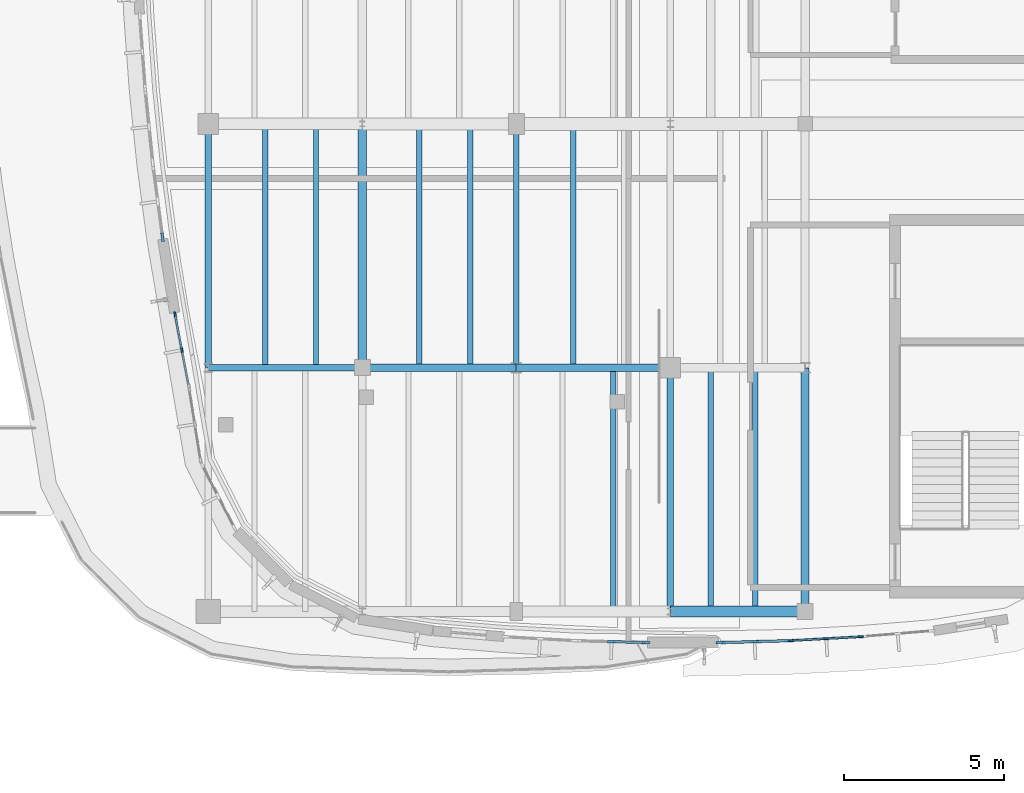
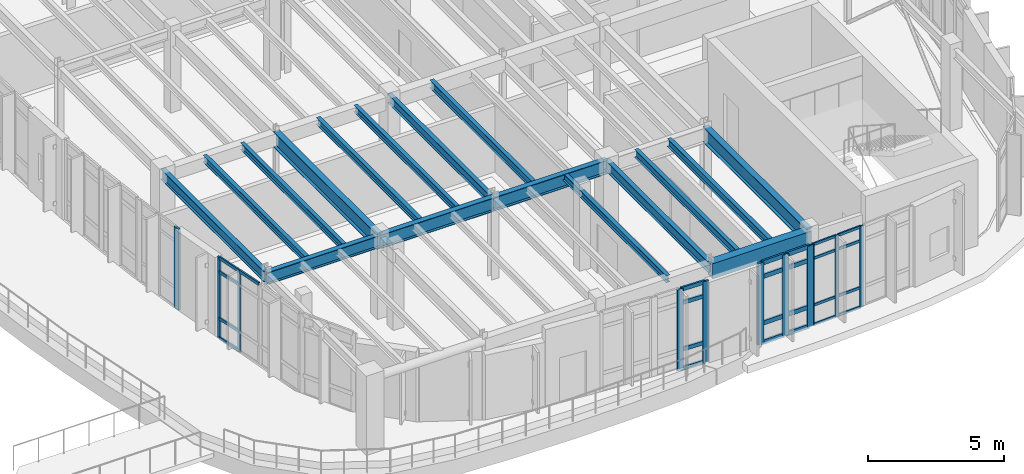
# One storey, part 41 of 105: 36 members, 17 beams, 5 elements without a shape of their own.
"""IFC4 building model written with IfcOpenShell, lengths in metres."""

from ifc_helpers import new_model, si_unit, direction, frame, origin, origin_2d, place, context, subcontext, project, spatial, rectangle, i_section, extrude, material, material_profile, profile_set, type_object, element, aggregate, save


model = new_model("IFC4")

# Units and contexts
model_context = context("Model", 3, precision=1e-05, world=origin(), true_north=direction((0.0, 1.0)))
body_context = subcontext(model_context, "Body", "Model", "MODEL_VIEW")
ifc_project = project(units=[si_unit("LENGTHUNIT", "METRE"), si_unit("AREAUNIT", "SQUARE_METRE"), si_unit("VOLUMEUNIT", "CUBIC_METRE"), si_unit("PLANEANGLEUNIT", "RADIAN"), si_unit("MASSUNIT", "GRAM", prefix="KILO")], contexts=[model_context])

# Site, building, storey
site_placement = place(None, origin())
site = spatial("IfcSite", under=ifc_project, at=site_placement, CompositionType="ELEMENT")
building_placement = place(site_placement, origin())
building = spatial("IfcBuilding", under=site, at=building_placement, Name="Corveleigh Park Community Centre", CompositionType="ELEMENT")
storey_placement = place(building_placement, frame((0.0, 0.0, 8.699951171875)))
storey = spatial("IfcBuildingStorey", under=building, at=storey_placement, Name="L02", CompositionType="ELEMENT", Elevation=8.699951171875)

# Beams
ifc_material_1 = material(Name="Steel S355", Category="steel")
ifc_material_profile_1 = material_profile(ifc_material_1, i_section(OverallWidth=0.165771484375, OverallDepth=0.306640625, WebThickness=0.006591796875, FlangeThickness=0.01171875, at=origin_2d()), Name="UKB 305x165x46", Category="steel")
ifc_profile_set_1 = profile_set([ifc_material_profile_1], Name="Steel S355")
beam_type_1 = type_object("IfcBeamType", Name="BM-STL-UKB305x46", PredefinedType="JOIST", material=ifc_profile_set_1)
for number, where, z_axis, x_axis, name in (
    (1, (141.176025390625, 66.205078125, 3.483642578125), (0.0, 1.0, 0.0), (-1.0, 0.0, 0.0), "Secondary floor joist"),
    (2, (142.760009765625, 66.205078125, 3.483642578125), (0.0, 1.0, 0.0), (-1.0, 0.0, 0.0), "Secondary floor joist"),
):
    element("IfcBeam", number, at=place(storey_placement, frame(where, z_axis=z_axis, x_axis=x_axis)), inside=storey, type_object=beam_type_1, Name=name, PredefinedType="JOIST", context=body_context, shape_type="SweptSolid", body=[
        extrude(i_section(OverallWidth=0.165771484375, OverallDepth=0.306640625, WebThickness=0.006591796875, FlangeThickness=0.01171875, at=origin_2d()), origin(), (0.0, 0.0, 1.0), 7.58984375),
    ])
ifc_material_profile_2 = material_profile(ifc_material_1, i_section(OverallWidth=0.1669921875, OverallDepth=0.310302734375, WebThickness=0.0078125, FlangeThickness=0.013671875, at=origin_2d()), Name="UKB 305x165x54", Category="steel")
ifc_profile_set_2 = profile_set([ifc_material_profile_2], Name="Steel S355")
beam_type_2 = type_object("IfcBeamType", Name="BM-STL-UKB305x54", PredefinedType="JOIST", material=ifc_profile_set_2)
for number, where, z_axis, x_axis, name in (
    (3, (145.97607421875, 66.205078125, 3.48681640625), (0.0, 1.0, 0.0), (-1.0, 0.0, 0.0), "Secondary floor joist"),
    (4, (147.56005859375, 66.205078125, 3.48681640625), (0.0, 1.0, 0.0), (-1.0, 0.0, 0.0), "Secondary floor joist"),
):
    element("IfcBeam", number, at=place(storey_placement, frame(where, z_axis=z_axis, x_axis=x_axis)), inside=storey, type_object=beam_type_2, Name=name, PredefinedType="JOIST", context=body_context, shape_type="SweptSolid", body=[
        extrude(i_section(OverallWidth=0.1669921875, OverallDepth=0.310302734375, WebThickness=0.0078125, FlangeThickness=0.013671875, at=origin_2d()), origin(), (0.0, 0.0, 1.0), 7.58984375),
    ])
beam_1_placement = place(storey_placement, frame((152.02392578125, 58.60498046875, 3.48193359375), z_axis=(0.0, 1.0, 0.0), x_axis=(-1.0, 0.0, 0.0)))
element("IfcBeam", 5, at=beam_1_placement, inside=storey, type_object=beam_type_2, Name="Secondary floor joist", PredefinedType="JOIST", context=body_context, shape_type="SweptSolid", body=[
    extrude(i_section(OverallWidth=0.1669921875, OverallDepth=0.310302734375, WebThickness=0.0078125, FlangeThickness=0.013671875, at=origin_2d()), origin(), (0.0, 0.0, 1.0), 7.590087890625),
])
ifc_material_profile_3 = material_profile(ifc_material_1, i_section(OverallWidth=0.171142578125, OverallDepth=0.351318359375, WebThickness=0.007080078125, FlangeThickness=0.009765625, at=origin_2d()), Name="UKB 356x171x45", Category="steel")
ifc_profile_set_3 = profile_set([ifc_material_profile_3], Name="Steel S355")
beam_type_3 = type_object("IfcBeamType", Name="BM-STL-UKB356x45", PredefinedType="JOIST", material=ifc_profile_set_3)
beam_2_placement = place(storey_placement, frame((150.77587890625, 66.205078125, 3.46630859375), z_axis=(0.0, 1.0, 0.0), x_axis=(-1.0, 0.0, 0.0)))
element("IfcBeam", 6, at=beam_2_placement, inside=storey, type_object=beam_type_3, Name="Secondary floor joist", PredefinedType="JOIST", context=body_context, shape_type="SweptSolid", body=[
    extrude(i_section(OverallWidth=0.171142578125, OverallDepth=0.351318359375, WebThickness=0.007080078125, FlangeThickness=0.009765625, at=origin_2d()), origin(), (0.0, 0.0, 1.0), 7.58984375),
])
for number, where, z_axis, x_axis, name in (
    (7, (155.06005859375, 58.60498046875, 3.46630859375), (0.0, 1.0, 0.0), (-1.0, 0.0, 0.0), "Secondary floor joist"),
    (8, (156.446044921875, 58.60498046875, 3.46630859375), (0.0, 1.0, 0.0), (-1.0, 0.0, 0.0), "Secondary floor joist"),
):
    element("IfcBeam", number, at=place(storey_placement, frame(where, z_axis=z_axis, x_axis=x_axis)), inside=storey, type_object=beam_type_3, Name=name, PredefinedType="JOIST", context=body_context, shape_type="SweptSolid", body=[
        extrude(i_section(OverallWidth=0.171142578125, OverallDepth=0.351318359375, WebThickness=0.007080078125, FlangeThickness=0.009765625, at=origin_2d()), origin(), (0.0, 0.0, 1.0), 7.590087890625),
    ])
ifc_material_profile_4 = material_profile(ifc_material_1, i_section(OverallWidth=0.1787109375, OverallDepth=0.409423828125, WebThickness=0.0087890625, FlangeThickness=0.014404296875, at=origin_2d()), Name="UKB 406x178x67", Category="steel")
ifc_profile_set_4 = profile_set([ifc_material_profile_4], Name="Steel S355")
beam_type_4 = type_object("IfcBeamType", Name="BM-STL-UKB406x67", PredefinedType="BEAM", material=ifc_profile_set_4)
beam_3_placement = place(storey_placement, frame((149.0, 66.205078125, 3.437255859375), z_axis=(0.0, 1.0, 0.0), x_axis=(-1.0, 0.0, 0.0)))
element("IfcBeam", 9, at=beam_3_placement, inside=storey, type_object=beam_type_4, Name="V4 Girder Y", PredefinedType="BEAM", context=body_context, shape_type="SweptSolid", body=[
    extrude(i_section(OverallWidth=0.1787109375, OverallDepth=0.409423828125, WebThickness=0.0087890625, FlangeThickness=0.014404296875, at=origin_2d()), origin(), (0.0, 0.0, 1.0), 7.58984375),
])
ifc_material_profile_5 = material_profile(ifc_material_1, i_section(OverallWidth=0.19189453125, OverallDepth=0.46337890625, WebThickness=0.010498046875, FlangeThickness=0.017578125, at=origin_2d()), Name="UKB 457x191x89", Category="steel")
ifc_profile_set_5 = profile_set([ifc_material_profile_5], Name="Steel S355")
beam_type_5 = type_object("IfcBeamType", Name="BM-STL-UKB457x89", PredefinedType="BEAM", material=ifc_profile_set_5)
beam_4_placement = place(storey_placement, frame((139.39990234375, 66.205078125, 3.4052734375), z_axis=(0.0, 1.0, 0.0), x_axis=(-1.0, 0.0, 0.0)))
element("IfcBeam", 10, at=beam_4_placement, inside=storey, type_object=beam_type_5, Name="V4 Girder Y", PredefinedType="BEAM", context=body_context, shape_type="SweptSolid", body=[
    extrude(i_section(OverallWidth=0.19189453125, OverallDepth=0.46337890625, WebThickness=0.010498046875, FlangeThickness=0.017578125, at=origin_2d()), origin(), (0.0, 0.0, 1.0), 7.58984375),
])
beam_5_placement = place(storey_placement, frame((153.800048828125, 58.60498046875, 3.410400390625), z_axis=(0.0, 1.0, 0.0), x_axis=(-1.0, 0.0, 0.0)))
element("IfcBeam", 11, at=beam_5_placement, inside=storey, type_object=beam_type_5, Name="V4 Girder Y", PredefinedType="BEAM", context=body_context, shape_type="SweptSolid", body=[
    extrude(i_section(OverallWidth=0.19189453125, OverallDepth=0.46337890625, WebThickness=0.010498046875, FlangeThickness=0.017578125, at=origin_2d()), origin(), (0.0, 0.0, 1.0), 7.590087890625),
])
ifc_material_profile_6 = material_profile(ifc_material_1, i_section(OverallWidth=0.210693359375, OverallDepth=0.53955078125, WebThickness=0.01171875, FlangeThickness=0.018798828125, at=origin_2d()), Name="UKB 533x210x109", Category="steel")
ifc_profile_set_6 = profile_set([ifc_material_profile_6], Name="Steel S355")
beam_type_6 = type_object("IfcBeamType", Name="BM-STL-UKB533x109", PredefinedType="BEAM", material=ifc_profile_set_6)
beam_6_placement = place(storey_placement, frame((139.405029296875, 66.199951171875, 3.3671875), z_axis=(1.0, 0.0, 0.0), x_axis=(0.0, 1.0, 0.0)))
element("IfcBeam", 12, at=beam_6_placement, inside=storey, type_object=beam_type_6, Name="V4 Girder X", PredefinedType="BEAM", context=body_context, shape_type="SweptSolid", body=[
    extrude(i_section(OverallWidth=0.210693359375, OverallDepth=0.53955078125, WebThickness=0.01171875, FlangeThickness=0.018798828125, at=origin_2d()), origin(), (0.0, 0.0, 1.0), 4.7900390625),
])
ifc_material_profile_7 = material_profile(ifc_material_1, i_section(OverallWidth=0.228271484375, OverallDepth=0.607666015625, WebThickness=0.010986328125, FlangeThickness=0.017333984375, at=origin_2d()), Name="UKB 610x229x113", Category="steel")
ifc_profile_set_7 = profile_set([ifc_material_profile_7], Name="Steel S355")
beam_type_7 = type_object("IfcBeamType", Name="BM-STL-UKB610x113", PredefinedType="BEAM", material=ifc_profile_set_7)
beam_7_placement = place(storey_placement, frame((144.205078125, 66.199951171875, 3.338134765625), z_axis=(1.0, 0.0, 0.0), x_axis=(0.0, 1.0, 0.0)))
element("IfcBeam", 13, at=beam_7_placement, inside=storey, type_object=beam_type_7, Name="V4 Girder X", PredefinedType="BEAM", context=body_context, shape_type="SweptSolid", body=[
    extrude(i_section(OverallWidth=0.228271484375, OverallDepth=0.607666015625, WebThickness=0.010986328125, FlangeThickness=0.017333984375, at=origin_2d()), origin(), (0.0, 0.0, 1.0), 4.7900390625),
])
ifc_material_profile_8 = material_profile(ifc_material_1, i_section(OverallWidth=0.22900390625, OverallDepth=0.6123046875, WebThickness=0.011962890625, FlangeThickness=0.01953125, at=origin_2d()), Name="UKB 610x229x125", Category="steel")
ifc_profile_set_8 = profile_set([ifc_material_profile_8], Name="Steel S355")
beam_type_8 = type_object("IfcBeamType", Name="BM-STL-UKB610x125", PredefinedType="BEAM", material=ifc_profile_set_8)
beam_8_placement = place(storey_placement, frame((149.0048828125, 66.199951171875, 3.3359375), z_axis=(1.0, 0.0, 0.0), x_axis=(0.0, 1.0, 0.0)))
element("IfcBeam", 14, at=beam_8_placement, inside=storey, type_object=beam_type_8, Name="V4 Girder X", PredefinedType="BEAM", context=body_context, shape_type="SweptSolid", body=[
    extrude(i_section(OverallWidth=0.22900390625, OverallDepth=0.6123046875, WebThickness=0.011962890625, FlangeThickness=0.01953125, at=origin_2d()), origin(), (0.0, 0.0, 1.0), 4.7900390625),
])
ifc_material_profile_9 = material_profile(ifc_material_1, i_section(OverallWidth=0.253662109375, OverallDepth=0.68359375, WebThickness=0.012451171875, FlangeThickness=0.01904296875, at=origin_2d()), Name="UKB 686x254x140", Category="steel")
ifc_profile_set_9 = profile_set([ifc_material_profile_9], Name="Steel S355")
beam_type_9 = type_object("IfcBeamType", Name="BM-STL-UKB686x140", PredefinedType="BEAM", material=ifc_profile_set_9)
beam_9_placement = place(storey_placement, frame((144.199951171875, 66.205078125, 3.30029296875), z_axis=(0.0, 1.0, 0.0), x_axis=(-1.0, 0.0, 0.0)))
element("IfcBeam", 15, at=beam_9_placement, inside=storey, type_object=beam_type_9, Name="V4 Girder Y", PredefinedType="BEAM", context=body_context, shape_type="SweptSolid", body=[
    extrude(i_section(OverallWidth=0.253662109375, OverallDepth=0.68359375, WebThickness=0.012451171875, FlangeThickness=0.01904296875, at=origin_2d()), origin(), (0.0, 0.0, 1.0), 7.58984375),
])
beam_10_placement = place(storey_placement, frame((158.0, 58.60498046875, 3.30029296875), z_axis=(0.0, 1.0, 0.0), x_axis=(-1.0, 0.0, 0.0)))
element("IfcBeam", 16, at=beam_10_placement, inside=storey, type_object=beam_type_9, Name="V4 Girder Y", PredefinedType="BEAM", context=body_context, shape_type="SweptSolid", body=[
    extrude(i_section(OverallWidth=0.253662109375, OverallDepth=0.68359375, WebThickness=0.012451171875, FlangeThickness=0.01904296875, at=origin_2d()), origin(), (0.0, 0.0, 1.0), 7.590087890625),
])

# Curtain wall, members
ifc_material_2 = material(Name="Anodised aluminium 6063-T6", Category="aluminium")
curtain_wall_type = type_object("IfcCurtainWallType", Name="CW-SYS-V4-L01", PredefinedType="NOTDEFINED", material=ifc_material_2)
curtain_wall_1_placement = place(storey_placement, origin())
curtain_wall_1 = element("IfcCurtainWall", 17, at=curtain_wall_1_placement, inside=storey, type_object=curtain_wall_type, Name="V4 L02 Curtain Wall 361", PredefinedType="NOTDEFINED")
ifc_material_profile_10 = material_profile(ifc_material_2, rectangle(XDim=0.06005859375, YDim=0.159912109375, at=origin_2d()), Name="ALU-M60x160", Category="aluminium")
ifc_profile_set_10 = profile_set([ifc_material_profile_10], Name="Anodised aluminium 6063-T6")
member_type_1 = type_object("IfcMemberType", Name="CWM-60x160", PredefinedType="MULLION", material=ifc_profile_set_10)
member_1_placement = place(storey_placement, frame((159.737060546875, 57.814453125, 0.0), z_axis=(0.0, 0.0, 1.0), x_axis=(0.055545052181, -0.998456181902, 0.0)))
member_1 = element("IfcMember", 18, at=member_1_placement, type_object=member_type_1, Name="CW08 mullion 1", PredefinedType="MULLION", context=body_context, shape_type="SweptSolid", body=[
    extrude(rectangle(XDim=0.06005859375, YDim=0.159912109375, at=origin_2d()), origin(), (0.0, 0.0, 1.0), 3.64208984375),
])
member_2_placement = place(storey_placement, frame((158.66162109375, 57.75439453125, 0.0), z_axis=(0.0, 0.0, 1.0), x_axis=(0.055545052181, -0.998456181902, 0.0)))
member_2 = element("IfcMember", 19, at=member_2_placement, type_object=member_type_1, Name="CW08 mullion 2", PredefinedType="MULLION", context=body_context, shape_type="SweptSolid", body=[
    extrude(rectangle(XDim=0.06005859375, YDim=0.159912109375, at=origin_2d()), origin(), (0.0, 0.0, 1.0), 3.64208984375),
])
member_3_placement = place(storey_placement, frame((157.5859375, 57.694580078125, 0.0), z_axis=(0.0, 0.0, 1.0), x_axis=(0.055545052181, -0.998456181902, 0.0)))
member_3 = element("IfcMember", 20, at=member_3_placement, type_object=member_type_1, Name="CW08 mullion 3", PredefinedType="MULLION", context=body_context, shape_type="SweptSolid", body=[
    extrude(rectangle(XDim=0.06005859375, YDim=0.159912109375, at=origin_2d()), origin(), (0.0, 0.0, 1.0), 3.64208984375),
])

curtain_wall_2_placement = place(storey_placement, origin())
curtain_wall_2 = element("IfcCurtainWall", 21, at=curtain_wall_2_placement, inside=storey, type_object=curtain_wall_type, Name="V4 L02 Curtain Wall 397", PredefinedType="NOTDEFINED")
member_4_placement = place(storey_placement, frame((138.577880859375, 66.75146484375, 0.0), z_axis=(0.0, 0.0, 1.0), x_axis=(-0.981960439775, -0.189086474176, 0.0)))
member_4 = element("IfcMember", 22, at=member_4_placement, type_object=member_type_1, Name="CW08 mullion 2", PredefinedType="MULLION", context=body_context, shape_type="SweptSolid", body=[
    extrude(rectangle(XDim=0.06005859375, YDim=0.159912109375, at=origin_2d()), origin(), (0.0, 0.0, 1.0), 3.636962890625),
])
member_5_placement = place(storey_placement, frame((138.36376953125, 67.864501953125, 0.0), z_axis=(0.0, 0.0, 1.0), x_axis=(-0.981960439775, -0.189086474176, 0.0)))
member_5 = element("IfcMember", 23, at=member_5_placement, type_object=member_type_1, Name="CW08 mullion 3", PredefinedType="MULLION", context=body_context, shape_type="SweptSolid", body=[
    extrude(rectangle(XDim=0.06005859375, YDim=0.159912109375, at=origin_2d()), origin(), (0.0, 0.0, 1.0), 3.636962890625),
])

curtain_wall_3_placement = place(storey_placement, origin())
curtain_wall_3 = element("IfcCurtainWall", 24, at=curtain_wall_3_placement, inside=storey, type_object=curtain_wall_type, Name="V4 L02 Curtain Wall 359", PredefinedType="NOTDEFINED")
ifc_material_profile_11 = material_profile(ifc_material_2, rectangle(XDim=0.080078125, YDim=0.25, at=origin_2d()), Name="ALU-M80x250", Category="aluminium")
ifc_profile_set_11 = profile_set([ifc_material_profile_11], Name="Anodised aluminium 6063-T6")
member_type_2 = type_object("IfcMemberType", Name="CWM-80x250", PredefinedType="MULLION", material=ifc_profile_set_11)
member_6_placement = place(storey_placement, frame((153.034912109375, 57.632080078125, 0.0), z_axis=(0.0, 0.0, 1.0), x_axis=(-0.028005278833, -0.999607775259, 0.0)))
member_6 = element("IfcMember", 25, at=member_6_placement, type_object=member_type_2, Name="CW08 mullion 1", PredefinedType="MULLION", context=body_context, shape_type="SweptSolid", body=[
    extrude(rectangle(XDim=0.080078125, YDim=0.25, at=origin_2d()), origin(), (0.0, 0.0, 1.0), 3.636962890625),
])
member_7_placement = place(storey_placement, frame((151.968505859375, 57.662109375, 0.0), z_axis=(0.0, 0.0, 1.0), x_axis=(-0.028005278833, -0.999607775259, 0.0)))
member_7 = element("IfcMember", 26, at=member_7_placement, type_object=member_type_2, Name="CW08 mullion 2", PredefinedType="MULLION", context=body_context, shape_type="SweptSolid", body=[
    extrude(rectangle(XDim=0.080078125, YDim=0.25, at=origin_2d()), origin(), (0.0, 0.0, 1.0), 3.636962890625),
])

curtain_wall_4_placement = place(storey_placement, origin())
curtain_wall_4 = element("IfcCurtainWall", 27, at=curtain_wall_4_placement, inside=storey, type_object=curtain_wall_type, Name="V4 L02 Curtain Wall 360", PredefinedType="NOTDEFINED")
ifc_material_profile_12 = material_profile(ifc_material_2, rectangle(XDim=0.0849609375, YDim=0.27490234375, at=origin_2d()), Name="ALU-M85x275", Category="aluminium")
ifc_profile_set_12 = profile_set([ifc_material_profile_12], Name="Anodised aluminium 6063-T6")
member_type_3 = type_object("IfcMemberType", Name="CWM-85x275", PredefinedType="MULLION", material=ifc_profile_set_12)
member_8_placement = place(storey_placement, frame((157.49560546875, 57.69189453125, 0.0), z_axis=(0.0, 0.0, 1.0), x_axis=(0.028005278833, -0.999607775259, 0.0)))
member_8 = element("IfcMember", 28, at=member_8_placement, type_object=member_type_3, Name="CW08 mullion 1", PredefinedType="MULLION", context=body_context, shape_type="SweptSolid", body=[
    extrude(rectangle(XDim=0.0849609375, YDim=0.27490234375, at=origin_2d()), origin(), (0.0, 0.0, 1.0), 3.636962890625),
])
member_9_placement = place(storey_placement, frame((156.431396484375, 57.662109375, 0.0), z_axis=(0.0, 0.0, 1.0), x_axis=(0.028005278833, -0.999607775259, 0.0)))
member_9 = element("IfcMember", 29, at=member_9_placement, type_object=member_type_3, Name="CW08 mullion 2", PredefinedType="MULLION", context=body_context, shape_type="SweptSolid", body=[
    extrude(rectangle(XDim=0.0849609375, YDim=0.27490234375, at=origin_2d()), origin(), (0.0, 0.0, 1.0), 3.636962890625),
])
member_10_placement = place(storey_placement, frame((155.367431640625, 57.632080078125, 0.0), z_axis=(0.0, 0.0, 1.0), x_axis=(0.028005278833, -0.999607775259, 0.0)))
member_10 = element("IfcMember", 30, at=member_10_placement, type_object=member_type_3, Name="CW08 mullion 3", PredefinedType="MULLION", context=body_context, shape_type="SweptSolid", body=[
    extrude(rectangle(XDim=0.0849609375, YDim=0.27490234375, at=origin_2d()), origin(), (0.0, 0.0, 1.0), 3.636962890625),
])

# Curtain wall, member
curtain_wall_5_placement = place(storey_placement, origin())
curtain_wall_5 = element("IfcCurtainWall", 31, at=curtain_wall_5_placement, inside=storey, type_object=curtain_wall_type, Name="V4 L02 Curtain Wall 396", PredefinedType="NOTDEFINED")
member_11_placement = place(storey_placement, frame((137.973388671875, 70.26806640625, 0.0), z_axis=(0.0, 0.0, 1.0), x_axis=(-0.991317738614, -0.131488178592, 0.0)))
member_11 = element("IfcMember", 32, at=member_11_placement, type_object=member_type_3, Name="CW08 mullion 1", PredefinedType="MULLION", context=body_context, shape_type="SweptSolid", body=[
    extrude(rectangle(XDim=0.0849609375, YDim=0.27490234375, at=origin_2d()), origin(), (0.0, 0.0, 1.0), 3.636962890625),
])
aggregate(curtain_wall_5, [member_11])

# Member
ifc_material_profile_13 = material_profile(ifc_material_2, rectangle(XDim=0.06005859375, YDim=0.1201171875, at=origin_2d()), Name="ALU-T60x120", Category="aluminium")
ifc_profile_set_13 = profile_set([ifc_material_profile_13], Name="Anodised aluminium 6063-T6")
member_type_4 = type_object("IfcMemberType", Name="CWT-60x120", PredefinedType="USERDEFINED", material=ifc_profile_set_13)
member_12_placement = place(storey_placement, frame((159.70703125, 57.812744140625, 0.030029296875), z_axis=(-0.998448514594, -0.055682705622, 0.0), x_axis=(0.055682705622, -0.998448514594, 0.0)))
member_12 = element("IfcMember", 33, at=member_12_placement, type_object=member_type_4, Name="CW08 transom 1.1", ObjectType="TRANSOM", PredefinedType="USERDEFINED", context=body_context, shape_type="SweptSolid", body=[
    extrude(rectangle(XDim=0.06005859375, YDim=0.1201171875, at=origin_2d()), origin(), (0.0, 0.0, 1.0), 1.01708984375),
])

member_13_placement = place(storey_placement, frame((159.70703125, 57.812744140625, 0.900146484375), z_axis=(-0.998448514594, -0.055682705622, 0.0), x_axis=(0.055682705622, -0.998448514594, 0.0)))
member_13 = element("IfcMember", 34, at=member_13_placement, type_object=member_type_4, Name="CW08 transom 1.2", ObjectType="TRANSOM", PredefinedType="USERDEFINED", context=body_context, shape_type="SweptSolid", body=[
    extrude(rectangle(XDim=0.06005859375, YDim=0.1201171875, at=origin_2d()), origin(), (0.0, 0.0, 1.0), 1.01708984375),
])

member_14_placement = place(storey_placement, frame((159.70703125, 57.812744140625, 2.991943359375), z_axis=(-0.998448514594, -0.055682705622, 0.0), x_axis=(0.055682705622, -0.998448514594, 0.0)))
member_14 = element("IfcMember", 35, at=member_14_placement, type_object=member_type_4, Name="CW08 transom 1.3", ObjectType="TRANSOM", PredefinedType="USERDEFINED", context=body_context, shape_type="SweptSolid", body=[
    extrude(rectangle(XDim=0.06005859375, YDim=0.1201171875, at=origin_2d()), origin(), (0.0, 0.0, 1.0), 1.01708984375),
])

member_15_placement = place(storey_placement, frame((159.70703125, 57.812744140625, 3.612060546875), z_axis=(-0.998448514594, -0.055682705622, 0.0), x_axis=(0.055682705622, -0.998448514594, 0.0)))
member_15 = element("IfcMember", 36, at=member_15_placement, type_object=member_type_4, Name="CW08 transom 1.4", ObjectType="TRANSOM", PredefinedType="USERDEFINED", context=body_context, shape_type="SweptSolid", body=[
    extrude(rectangle(XDim=0.06005859375, YDim=0.1201171875, at=origin_2d()), origin(), (0.0, 0.0, 1.0), 1.01708984375),
])

member_16_placement = place(storey_placement, frame((158.631591796875, 57.7529296875, 0.030029296875), z_axis=(-0.998448514594, -0.055682705622, 0.0), x_axis=(0.055682705622, -0.998448514594, 0.0)))
member_16 = element("IfcMember", 37, at=member_16_placement, type_object=member_type_4, Name="CW08 transom 2.1", ObjectType="TRANSOM", PredefinedType="USERDEFINED", context=body_context, shape_type="SweptSolid", body=[
    extrude(rectangle(XDim=0.06005859375, YDim=0.1201171875, at=origin_2d()), origin(), (0.0, 0.0, 1.0), 1.01708984375),
])

member_17_placement = place(storey_placement, frame((158.631591796875, 57.7529296875, 0.900146484375), z_axis=(-0.998448514594, -0.055682705622, 0.0), x_axis=(0.055682705622, -0.998448514594, 0.0)))
member_17 = element("IfcMember", 38, at=member_17_placement, type_object=member_type_4, Name="CW08 transom 2.2", ObjectType="TRANSOM", PredefinedType="USERDEFINED", context=body_context, shape_type="SweptSolid", body=[
    extrude(rectangle(XDim=0.06005859375, YDim=0.1201171875, at=origin_2d()), origin(), (0.0, 0.0, 1.0), 1.01708984375),
])

member_18_placement = place(storey_placement, frame((158.631591796875, 57.7529296875, 2.991943359375), z_axis=(-0.998448514594, -0.055682705622, 0.0), x_axis=(0.055682705622, -0.998448514594, 0.0)))
member_18 = element("IfcMember", 39, at=member_18_placement, type_object=member_type_4, Name="CW08 transom 2.3", ObjectType="TRANSOM", PredefinedType="USERDEFINED", context=body_context, shape_type="SweptSolid", body=[
    extrude(rectangle(XDim=0.06005859375, YDim=0.1201171875, at=origin_2d()), origin(), (0.0, 0.0, 1.0), 1.01708984375),
])

member_19_placement = place(storey_placement, frame((158.631591796875, 57.7529296875, 3.612060546875), z_axis=(-0.998448514594, -0.055682705622, 0.0), x_axis=(0.055682705622, -0.998448514594, 0.0)))
member_19 = element("IfcMember", 40, at=member_19_placement, type_object=member_type_4, Name="CW08 transom 2.4", ObjectType="TRANSOM", PredefinedType="USERDEFINED", context=body_context, shape_type="SweptSolid", body=[
    extrude(rectangle(XDim=0.06005859375, YDim=0.1201171875, at=origin_2d()), origin(), (0.0, 0.0, 1.0), 1.01708984375),
])

aggregate(curtain_wall_1, [member_1, member_2, member_3, member_12, member_13, member_14, member_15, member_16, member_17, member_18, member_19])

ifc_material_profile_14 = material_profile(ifc_material_2, rectangle(XDim=0.06494140625, YDim=0.139892578125, at=origin_2d()), Name="ALU-T65x140", Category="aluminium")
ifc_profile_set_14 = profile_set([ifc_material_profile_14], Name="Anodised aluminium 6063-T6")
member_type_5 = type_object("IfcMemberType", Name="CWT-65x140", PredefinedType="USERDEFINED", material=ifc_profile_set_14)
member_20_placement = place(storey_placement, frame((138.78662109375, 65.66796875, 3.6044921875), z_axis=(-0.189024561252, 0.981972359715, 0.0), x_axis=(-0.981972359715, -0.189024561252, 0.0)))
member_20 = element("IfcMember", 41, at=member_20_placement, type_object=member_type_5, Name="CW08 transom 1.4", ObjectType="TRANSOM", PredefinedType="USERDEFINED", context=body_context, shape_type="SweptSolid", body=[
    extrude(rectangle(XDim=0.06494140625, YDim=0.139892578125, at=origin_2d()), origin(), (0.0, 0.0, 1.0), 1.0732421875),
])

member_21_placement = place(storey_placement, frame((138.572265625, 66.781005859375, 0.032470703125), z_axis=(-0.189024561252, 0.981972359715, 0.0), x_axis=(-0.981972359715, -0.189024561252, 0.0)))
member_21 = element("IfcMember", 42, at=member_21_placement, type_object=member_type_5, Name="CW08 transom 2.1", ObjectType="TRANSOM", PredefinedType="USERDEFINED", context=body_context, shape_type="SweptSolid", body=[
    extrude(rectangle(XDim=0.06494140625, YDim=0.139892578125, at=origin_2d()), origin(), (0.0, 0.0, 1.0), 1.0732421875),
])

member_22_placement = place(storey_placement, frame((138.572265625, 66.781005859375, 0.900146484375), z_axis=(-0.189024561252, 0.981972359715, 0.0), x_axis=(-0.981972359715, -0.189024561252, 0.0)))
member_22 = element("IfcMember", 43, at=member_22_placement, type_object=member_type_5, Name="CW08 transom 2.2", ObjectType="TRANSOM", PredefinedType="USERDEFINED", context=body_context, shape_type="SweptSolid", body=[
    extrude(rectangle(XDim=0.06494140625, YDim=0.139892578125, at=origin_2d()), origin(), (0.0, 0.0, 1.0), 1.0732421875),
])

member_23_placement = place(storey_placement, frame((138.572265625, 66.781005859375, 2.987060546875), z_axis=(-0.189024561252, 0.981972359715, 0.0), x_axis=(-0.981972359715, -0.189024561252, 0.0)))
member_23 = element("IfcMember", 44, at=member_23_placement, type_object=member_type_5, Name="CW08 transom 2.3", ObjectType="TRANSOM", PredefinedType="USERDEFINED", context=body_context, shape_type="SweptSolid", body=[
    extrude(rectangle(XDim=0.06494140625, YDim=0.139892578125, at=origin_2d()), origin(), (0.0, 0.0, 1.0), 1.0732421875),
])

member_24_placement = place(storey_placement, frame((138.572265625, 66.781005859375, 3.6044921875), z_axis=(-0.189024561252, 0.981972359715, 0.0), x_axis=(-0.981972359715, -0.189024561252, 0.0)))
member_24 = element("IfcMember", 45, at=member_24_placement, type_object=member_type_5, Name="CW08 transom 2.4", ObjectType="TRANSOM", PredefinedType="USERDEFINED", context=body_context, shape_type="SweptSolid", body=[
    extrude(rectangle(XDim=0.06494140625, YDim=0.139892578125, at=origin_2d()), origin(), (0.0, 0.0, 1.0), 1.0732421875),
])

aggregate(curtain_wall_2, [member_4, member_5, member_20, member_21, member_22, member_23, member_24])

ifc_material_profile_15 = material_profile(ifc_material_2, rectangle(XDim=0.074951171875, YDim=0.175048828125, at=origin_2d()), Name="ALU-T75x175", Category="aluminium")
ifc_profile_set_15 = profile_set([ifc_material_profile_15], Name="Anodised aluminium 6063-T6")
member_type_6 = type_object("IfcMemberType", Name="CWT-75x175", PredefinedType="USERDEFINED", material=ifc_profile_set_15)
member_25_placement = place(storey_placement, frame((152.9951171875, 57.63330078125, 0.03759765625), z_axis=(-0.999609253961, 0.027952448824, 0.0), x_axis=(-0.027952448824, -0.999609253961, 0.0)))
member_25 = element("IfcMember", 46, at=member_25_placement, type_object=member_type_6, Name="CW08 transom 1.1", ObjectType="TRANSOM", PredefinedType="USERDEFINED", context=body_context, shape_type="SweptSolid", body=[
    extrude(rectangle(XDim=0.074951171875, YDim=0.175048828125, at=origin_2d()), origin(), (0.0, 0.0, 1.0), 0.987060546875),
])

member_26_placement = place(storey_placement, frame((152.9951171875, 57.63330078125, 0.900146484375), z_axis=(-0.999609253961, 0.027952448824, 0.0), x_axis=(-0.027952448824, -0.999609253961, 0.0)))
member_26 = element("IfcMember", 47, at=member_26_placement, type_object=member_type_6, Name="CW08 transom 1.2", ObjectType="TRANSOM", PredefinedType="USERDEFINED", context=body_context, shape_type="SweptSolid", body=[
    extrude(rectangle(XDim=0.074951171875, YDim=0.175048828125, at=origin_2d()), origin(), (0.0, 0.0, 1.0), 0.987060546875),
])

member_27_placement = place(storey_placement, frame((152.9951171875, 57.63330078125, 2.987060546875), z_axis=(-0.999609253961, 0.027952448824, 0.0), x_axis=(-0.027952448824, -0.999609253961, 0.0)))
member_27 = element("IfcMember", 48, at=member_27_placement, type_object=member_type_6, Name="CW08 transom 1.3", ObjectType="TRANSOM", PredefinedType="USERDEFINED", context=body_context, shape_type="SweptSolid", body=[
    extrude(rectangle(XDim=0.074951171875, YDim=0.175048828125, at=origin_2d()), origin(), (0.0, 0.0, 1.0), 0.987060546875),
])

member_28_placement = place(storey_placement, frame((152.9951171875, 57.63330078125, 3.599609375), z_axis=(-0.999609253961, 0.027952448824, 0.0), x_axis=(-0.027952448824, -0.999609253961, 0.0)))
member_28 = element("IfcMember", 49, at=member_28_placement, type_object=member_type_6, Name="CW08 transom 1.4", ObjectType="TRANSOM", PredefinedType="USERDEFINED", context=body_context, shape_type="SweptSolid", body=[
    extrude(rectangle(XDim=0.074951171875, YDim=0.175048828125, at=origin_2d()), origin(), (0.0, 0.0, 1.0), 0.987060546875),
])

aggregate(curtain_wall_3, [member_6, member_7, member_25, member_26, member_27, member_28])

ifc_material_profile_16 = material_profile(ifc_material_2, rectangle(XDim=0.080078125, YDim=0.195068359375, at=origin_2d()), Name="ALU-T80x195", Category="aluminium")
ifc_profile_set_16 = profile_set([ifc_material_profile_16], Name="Anodised aluminium 6063-T6")
member_type_7 = type_object("IfcMemberType", Name="CWT-80x195", PredefinedType="USERDEFINED", material=ifc_profile_set_16)
member_29_placement = place(storey_placement, frame((157.453125, 57.690673828125, 0.0400390625), z_axis=(-0.999603390475, -0.028161352063, 0.0), x_axis=(0.028161352063, -0.999603390475, 0.0)))
member_29 = element("IfcMember", 50, at=member_29_placement, type_object=member_type_7, Name="CW08 transom 1.1", ObjectType="TRANSOM", PredefinedType="USERDEFINED", context=body_context, shape_type="SweptSolid", body=[
    extrude(rectangle(XDim=0.080078125, YDim=0.195068359375, at=origin_2d()), origin(), (0.0, 0.0, 1.0), 0.979736328125),
])

member_30_placement = place(storey_placement, frame((157.453125, 57.690673828125, 0.900146484375), z_axis=(-0.999603390475, -0.028161352063, 0.0), x_axis=(0.028161352063, -0.999603390475, 0.0)))
member_30 = element("IfcMember", 51, at=member_30_placement, type_object=member_type_7, Name="CW08 transom 1.2", ObjectType="TRANSOM", PredefinedType="USERDEFINED", context=body_context, shape_type="SweptSolid", body=[
    extrude(rectangle(XDim=0.080078125, YDim=0.195068359375, at=origin_2d()), origin(), (0.0, 0.0, 1.0), 0.979736328125),
])

member_31_placement = place(storey_placement, frame((157.453125, 57.690673828125, 2.987060546875), z_axis=(-0.999603390475, -0.028161352063, 0.0), x_axis=(0.028161352063, -0.999603390475, 0.0)))
member_31 = element("IfcMember", 52, at=member_31_placement, type_object=member_type_7, Name="CW08 transom 1.3", ObjectType="TRANSOM", PredefinedType="USERDEFINED", context=body_context, shape_type="SweptSolid", body=[
    extrude(rectangle(XDim=0.080078125, YDim=0.195068359375, at=origin_2d()), origin(), (0.0, 0.0, 1.0), 0.979736328125),
])

member_32_placement = place(storey_placement, frame((157.453125, 57.690673828125, 3.59716796875), z_axis=(-0.999603390475, -0.028161352063, 0.0), x_axis=(0.028161352063, -0.999603390475, 0.0)))
member_32 = element("IfcMember", 53, at=member_32_placement, type_object=member_type_7, Name="CW08 transom 1.4", ObjectType="TRANSOM", PredefinedType="USERDEFINED", context=body_context, shape_type="SweptSolid", body=[
    extrude(rectangle(XDim=0.080078125, YDim=0.195068359375, at=origin_2d()), origin(), (0.0, 0.0, 1.0), 0.979736328125),
])

member_33_placement = place(storey_placement, frame((156.388916015625, 57.660888671875, 0.0400390625), z_axis=(-0.999603192758, -0.028168369272, 0.0), x_axis=(0.028168369272, -0.999603192758, 0.0)))
member_33 = element("IfcMember", 54, at=member_33_placement, type_object=member_type_7, Name="CW08 transom 2.1", ObjectType="TRANSOM", PredefinedType="USERDEFINED", context=body_context, shape_type="SweptSolid", body=[
    extrude(rectangle(XDim=0.080078125, YDim=0.195068359375, at=origin_2d()), origin(), (0.0, 0.0, 1.0), 0.9794921875),
])

member_34_placement = place(storey_placement, frame((156.388916015625, 57.660888671875, 0.900146484375), z_axis=(-0.999603192758, -0.028168369272, 0.0), x_axis=(0.028168369272, -0.999603192758, 0.0)))
member_34 = element("IfcMember", 55, at=member_34_placement, type_object=member_type_7, Name="CW08 transom 2.2", ObjectType="TRANSOM", PredefinedType="USERDEFINED", context=body_context, shape_type="SweptSolid", body=[
    extrude(rectangle(XDim=0.080078125, YDim=0.195068359375, at=origin_2d()), origin(), (0.0, 0.0, 1.0), 0.9794921875),
])

member_35_placement = place(storey_placement, frame((156.388916015625, 57.660888671875, 2.987060546875), z_axis=(-0.999603192758, -0.028168369272, 0.0), x_axis=(0.028168369272, -0.999603192758, 0.0)))
member_35 = element("IfcMember", 56, at=member_35_placement, type_object=member_type_7, Name="CW08 transom 2.3", ObjectType="TRANSOM", PredefinedType="USERDEFINED", context=body_context, shape_type="SweptSolid", body=[
    extrude(rectangle(XDim=0.080078125, YDim=0.195068359375, at=origin_2d()), origin(), (0.0, 0.0, 1.0), 0.9794921875),
])

member_36_placement = place(storey_placement, frame((156.388916015625, 57.660888671875, 3.59716796875), z_axis=(-0.999603192758, -0.028168369272, 0.0), x_axis=(0.028168369272, -0.999603192758, 0.0)))
member_36 = element("IfcMember", 57, at=member_36_placement, type_object=member_type_7, Name="CW08 transom 2.4", ObjectType="TRANSOM", PredefinedType="USERDEFINED", context=body_context, shape_type="SweptSolid", body=[
    extrude(rectangle(XDim=0.080078125, YDim=0.195068359375, at=origin_2d()), origin(), (0.0, 0.0, 1.0), 0.9794921875),
])

aggregate(curtain_wall_4, [member_8, member_9, member_10, member_29, member_30, member_31, member_32, member_33, member_34, member_35, member_36])

# Beam
ifc_material_3 = material(Name="Concrete C40/50", Category="concrete")
ifc_material_profile_17 = material_profile(ifc_material_3, rectangle(XDim=0.35009765625, YDim=0.679931640625, at=origin_2d()), Name="RC-350x680", Category="concrete")
ifc_profile_set_17 = profile_set([ifc_material_profile_17], Name="Concrete C40/50")
beam_type_10 = type_object("IfcBeamType", Name="SP-RC-350x680", PredefinedType="SPANDREL", material=ifc_profile_set_17)
beam_11_placement = place(storey_placement, frame((153.804931640625, 58.60009765625, 3.302001953125), z_axis=(1.0, 0.0, 0.0), x_axis=(0.0, 1.0, 0.0)))
element("IfcBeam", 58, at=beam_11_placement, inside=storey, type_object=beam_type_10, Name="V4 Girder X", PredefinedType="SPANDREL", context=body_context, shape_type="SweptSolid", body=[
    extrude(rectangle(XDim=0.35009765625, YDim=0.679931640625, at=origin_2d()), origin(), (0.0, 0.0, 1.0), 4.190185546875),
])

save(model, "model.ifc")
